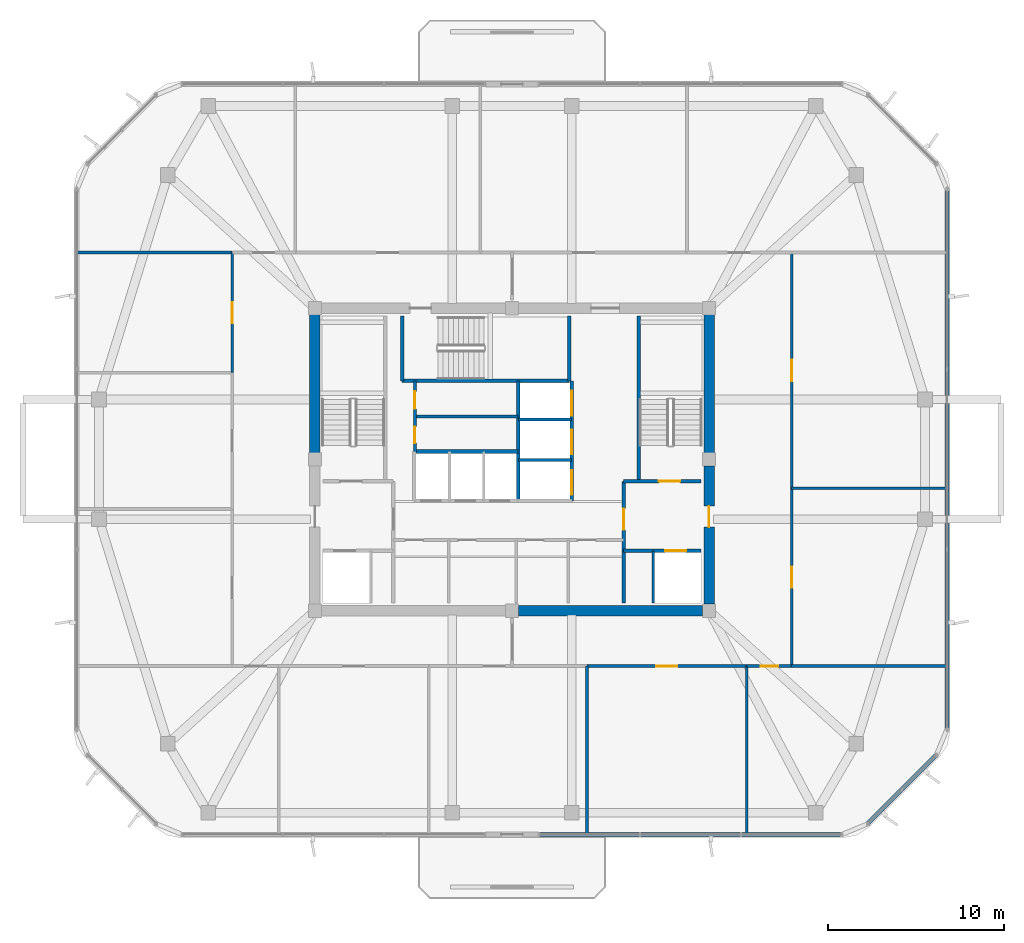
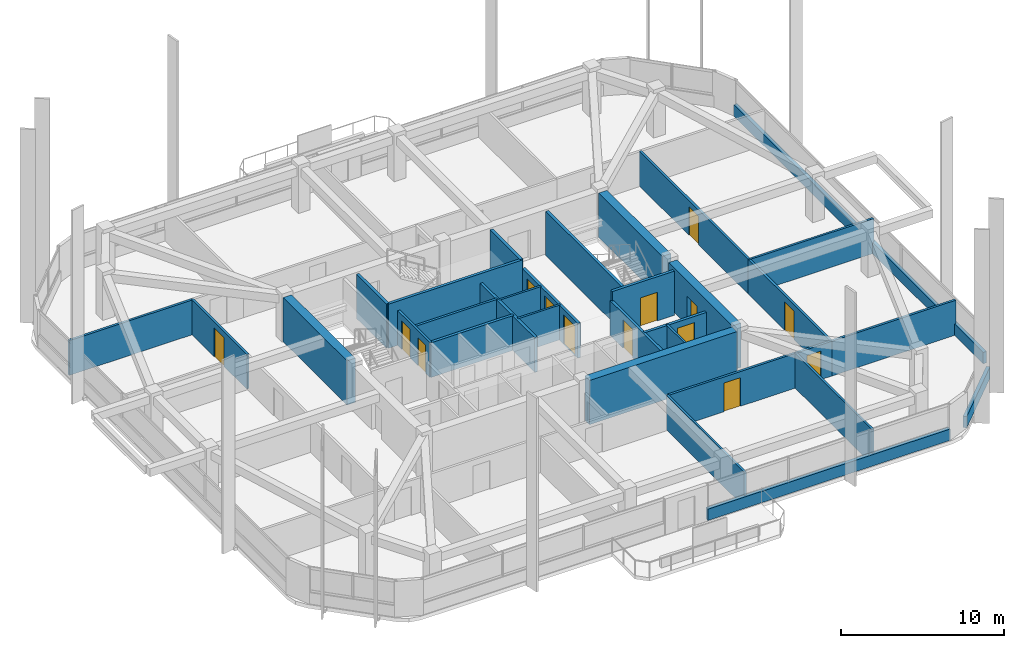
# One storey, part 8 of 12: 32 walls, 14 doors, 14 openings.
"""IFC4 building model written with IfcOpenShell, lengths in metres."""

from ifc_helpers import new_model, si_unit, derived_unit, direction, frame, frame_2d, origin, place, context, subcontext, project, spatial, rectangle, extrude, material, layer, layer_set, type_object, element, fill, save


model = new_model("IFC4")

# Units and contexts
model_context = context("Model", 3, precision=1e-05, world=origin(), true_north=direction((0.0, 1.0)))
body_context = subcontext(model_context, "Body", "Model", "MODEL_VIEW")
ifc_project = project(units=[si_unit("LENGTHUNIT", "METRE"), si_unit("AREAUNIT", "SQUARE_METRE"), si_unit("VOLUMEUNIT", "CUBIC_METRE"), si_unit("PLANEANGLEUNIT", "RADIAN"), si_unit("MASSUNIT", "GRAM", prefix="KILO"), derived_unit("THERMALTRANSMITTANCEUNIT", [(si_unit("POWERUNIT", "WATT"), 1), (si_unit("LENGTHUNIT", "METRE"), -2), (si_unit("THERMODYNAMICTEMPERATUREUNIT", "KELVIN"), -1)])], contexts=[model_context])

# Site, building, storey
site_placement = place(None, origin())
site = spatial("IfcSite", under=ifc_project, at=site_placement, CompositionType="ELEMENT")
building_placement = place(site_placement, origin())
building = spatial("IfcBuilding", under=site, at=building_placement, Name="Koralith Skygarden Medical Center", CompositionType="ELEMENT")
storey_placement = place(building_placement, frame((0.0, 0.0, 268.02001953125)))
storey = spatial("IfcBuildingStorey", under=building, at=storey_placement, Name="L69", CompositionType="ELEMENT", Elevation=268.02001953125)

# Walls
ifc_material_1 = material(Name="Gypsum Board Partition")
ifc_layer_1 = layer(ifc_material_1, 0.14990234375)
ifc_layer_set_1 = layer_set([ifc_layer_1], Name="Gypsum Board Partition")
wall_type_1 = type_object("IfcWallType", Name="Clinical Acoustic Partition 150", PredefinedType="PARTITIONING", material=ifc_layer_set_1)
for number, where, z_axis, x_axis, name in (
    (1, (41.261962890625, 14.14990234375, 0.0), (0.0, 0.0, 1.0), (0.0, -1.0, 0.0), "L69 Clinical Acoustic Partition 150 W-PART-L69-S-03"),
    (2, (50.35009765625, 14.14990234375, 0.0), (0.0, 0.0, 1.0), (0.0, -1.0, 0.0), "L69 Clinical Acoustic Partition 150 W-PART-L69-S-04"),
):
    element("IfcWall", number, at=place(storey_placement, frame(where, z_axis=z_axis, x_axis=x_axis)), inside=storey, type_object=wall_type_1, Name=name, PredefinedType="PARTITIONING", context=body_context, shape_type="SweptSolid", body=[
        extrude(rectangle(XDim=9.5498046875, YDim=0.14990234375, at=frame_2d((4.77490234375, 0.0))), origin(), (0.0, 0.0, 1.0), 2.60986328125),
    ])
wall_1_placement = place(storey_placement, frame((52.89990234375, 24.2548828125, 0.0), z_axis=(0.0, 0.0, 1.0), x_axis=(1.0, 0.0, 0.0)))
element("IfcWall", 3, at=wall_1_placement, inside=storey, type_object=wall_type_1, Name="L69 Clinical Acoustic Partition 150 W-PART-L69-E-01", PredefinedType="PARTITIONING", context=body_context, shape_type="SweptSolid", body=[
    extrude(rectangle(XDim=8.800048828125, YDim=0.14990234375, at=frame_2d((4.39990234375, 0.0))), origin(), (0.0, 0.0, 1.0), 2.60986328125),
])
ifc_layer_2 = layer(ifc_material_1, 0.1650390625)
ifc_layer_set_2 = layer_set([ifc_layer_2], Name="Gypsum Board Partition")
wall_type_2 = type_object("IfcWallType", Name="Clinical Corridor Partition 165", PredefinedType="PARTITIONING", material=ifc_layer_set_2)
for number, where, z_axis, x_axis, name in (
    (4, (12.300048828125, 37.64990234375, 0.0), (0.0, 0.0, 1.0), (1.0, 0.0, 0.0), "L69 Clinical Corridor Partition 165 W-WB-L69-NW"),
    (5, (52.89990234375, 14.14990234375, 0.0), (0.0, 0.0, 1.0), (1.0, 0.0, 0.0), "L69 Clinical Corridor Partition 165 W-WB-L69-SE"),
):
    element("IfcWall", number, at=place(storey_placement, frame(where, z_axis=z_axis, x_axis=x_axis)), inside=storey, type_object=wall_type_2, Name=name, PredefinedType="PARTITIONING", context=body_context, shape_type="SweptSolid", body=[
        extrude(rectangle(XDim=8.800048828125, YDim=0.1650390625, at=frame_2d((4.39990234375, 0.0))), origin(), (0.0, 0.0, 1.0), 2.60986328125),
    ])

# Wall, opening, door
wall_2_placement = place(storey_placement, frame((41.261962890625, 14.14990234375, 0.0), z_axis=(0.0, 0.0, 1.0), x_axis=(1.0, 0.0, 0.0)))
wall_2 = element("IfcWall", 6, at=wall_2_placement, inside=storey, type_object=wall_type_2, Name="L69 Clinical Corridor Partition 165 W-CORR-L69-S-04", PredefinedType="PARTITIONING", context=body_context, shape_type="SweptSolid", body=[
    extrude(rectangle(XDim=9.088134765625, YDim=0.1650390625, at=frame_2d((4.5439453125, 0.0))), origin(), (0.0, 0.0, 1.0), 2.60986328125),
])
opening_1_placement = place(wall_2_placement, frame((3.944091796875, 0.0, 0.0)))
opening_1 = element("IfcOpeningElement", 7, at=opening_1_placement, cuts=wall_2, Name="Opening D-CLN", PredefinedType="OPENING", context=body_context, shape_type="SweptSolid", body=[
    extrude(rectangle(XDim=1.199951171875, YDim=2.14990234375, at=frame_2d((0.60009765625, 1.074951171875))), frame((0.0, 0.092529296875, 0.0), z_axis=(0.0, -1.0, 0.0), x_axis=(1.0, 0.0, 0.0)), (0.0, 0.0, 1.0), 0.18505859375),
])
ifc_material_2 = material(Name="Aluminium 6063-T6", Category="aluminium")
door_type_1 = type_object("IfcDoorType", Name="Clinical Corridor Door D-CLN 1200", OperationType="NOTDEFINED", PredefinedType="DOOR", material=ifc_material_2)
door_1_placement = place(opening_1_placement, frame((1.199951171875, 0.0, 0.0), z_axis=(0.0, 0.0, 1.0), x_axis=(-1.0, 0.0, 0.0)))
door_1 = element("IfcDoor", 8, at=door_1_placement, inside=storey, type_object=door_type_1, Name="L69 Patient Smoothie Pantry 08 Door", OperationType="SINGLE_SWING_LEFT", OverallHeight=2.14990234375, OverallWidth=1.199951171875, PredefinedType="DOOR", context=body_context, shape_type="SweptSolid", body=[
    extrude(rectangle(XDim=1.199951171875, YDim=2.14990234375, at=frame_2d((0.60009765625, 1.074951171875))), frame((0.0, 0.02490234375, 0.0), z_axis=(0.0, -1.0, 0.0), x_axis=(1.0, 0.0, 0.0)), (0.0, 0.0, 1.0), 0.050048828125),
])
fill(opening_1, door_1)

wall_3_placement = place(storey_placement, frame((50.35009765625, 14.14990234375, 0.0), z_axis=(0.0, 0.0, 1.0), x_axis=(1.0, 0.0, 0.0)))
wall_3 = element("IfcWall", 9, at=wall_3_placement, inside=storey, type_object=wall_type_2, Name="L69 Clinical Corridor Partition 165 W-CORR-L69-S-05", PredefinedType="PARTITIONING", context=body_context, shape_type="SweptSolid", body=[
    extrude(rectangle(XDim=2.5498046875, YDim=0.1650390625, at=frame_2d((1.27490234375, 0.0))), origin(), (0.0, 0.0, 1.0), 2.60986328125),
])
opening_2_placement = place(wall_3_placement, frame((0.77490234375, 0.0, 0.0)))
opening_2 = element("IfcOpeningElement", 10, at=opening_2_placement, cuts=wall_3, Name="Opening D-SUP", PredefinedType="OPENING", context=body_context, shape_type="SweptSolid", body=[
    extrude(rectangle(XDim=1.0, YDim=2.14990234375, at=frame_2d((0.5, 1.074951171875))), frame((0.0, 0.092529296875, 0.0), z_axis=(0.0, -1.0, 0.0), x_axis=(1.0, 0.0, 0.0)), (0.0, 0.0, 1.0), 0.18505859375),
])
door_type_2 = type_object("IfcDoorType", Name="Clinical Support Door D-SUP 1000", OperationType="NOTDEFINED", PredefinedType="DOOR", material=ifc_material_2)
door_2_placement = place(opening_2_placement, frame((1.0, 0.0, 0.0), z_axis=(0.0, 0.0, 1.0), x_axis=(-1.0, 0.0, 0.0)))
door_2 = element("IfcDoor", 11, at=door_2_placement, inside=storey, type_object=door_type_2, Name="L69 Respiratory Family Lounge 09 Door", OperationType="SINGLE_SWING_RIGHT", OverallHeight=2.14990234375, OverallWidth=1.0, PredefinedType="DOOR", context=body_context, shape_type="SweptSolid", body=[
    extrude(rectangle(XDim=1.0, YDim=2.14990234375, at=frame_2d((0.5, 1.074951171875))), frame((0.0, 0.02490234375, 0.0), z_axis=(0.0, -1.0, 0.0), x_axis=(1.0, 0.0, 0.0)), (0.0, 0.0, 1.0), 0.050048828125),
])
fill(opening_2, door_2)

wall_4_placement = place(storey_placement, frame((21.10009765625, 30.8349609375, 0.0), z_axis=(0.0, 0.0, 1.0), x_axis=(0.0, 1.0, 0.0)))
wall_4 = element("IfcWall", 12, at=wall_4_placement, inside=storey, type_object=wall_type_2, Name="L69 Clinical Corridor Partition 165 W-CORR-L69-W-03", PredefinedType="PARTITIONING", context=body_context, shape_type="SweptSolid", body=[
    extrude(rectangle(XDim=6.81494140625, YDim=0.1650390625, at=frame_2d((3.407470703125, 0.0))), origin(), (0.0, 0.0, 1.0), 2.60986328125),
])
opening_3_placement = place(wall_4_placement, frame((2.806884765625, 0.0, 0.0)))
opening_3 = element("IfcOpeningElement", 13, at=opening_3_placement, cuts=wall_4, Name="Opening D-CLN", PredefinedType="OPENING", context=body_context, shape_type="SweptSolid", body=[
    extrude(rectangle(XDim=1.199951171875, YDim=2.14990234375, at=frame_2d((0.60009765625, 1.074951171875))), frame((0.0, 0.092529296875, 0.0), z_axis=(0.0, -1.0, 0.0), x_axis=(1.0, 0.0, 0.0)), (0.0, 0.0, 1.0), 0.18505859375),
])
door_3_placement = place(opening_3_placement, frame((1.199951171875, 0.0, 0.0), z_axis=(0.0, 0.0, 1.0), x_axis=(-1.0, 0.0, 0.0)))
door_3 = element("IfcDoor", 14, at=door_3_placement, inside=storey, type_object=door_type_1, Name="L69 Patient Smoothie Pantry 12 Door", OperationType="SINGLE_SWING_LEFT", OverallHeight=2.14990234375, OverallWidth=1.199951171875, PredefinedType="DOOR", context=body_context, shape_type="SweptSolid", body=[
    extrude(rectangle(XDim=1.199951171875, YDim=2.14990234375, at=frame_2d((0.60009765625, 1.074951171875))), frame((0.0, 0.02490234375, 0.0), z_axis=(0.0, -1.0, 0.0), x_axis=(1.0, 0.0, 0.0)), (0.0, 0.0, 1.0), 0.050048828125),
])
fill(opening_3, door_3)

wall_5_placement = place(storey_placement, frame((52.89990234375, 14.14990234375, 0.0), z_axis=(0.0, 0.0, 1.0), x_axis=(0.0, 1.0, 0.0)))
wall_5 = element("IfcWall", 15, at=wall_5_placement, inside=storey, type_object=wall_type_2, Name="L69 Clinical Corridor Partition 165 W-CORR-L69-E-01", PredefinedType="PARTITIONING", context=body_context, shape_type="SweptSolid", body=[
    extrude(rectangle(XDim=10.10498046875, YDim=0.1650390625, at=frame_2d((5.052490234375, 0.0))), origin(), (0.0, 0.0, 1.0), 2.60986328125),
])
opening_4_placement = place(wall_5_placement, frame((4.451904296875, 0.0, 0.0)))
opening_4 = element("IfcOpeningElement", 16, at=opening_4_placement, cuts=wall_5, Name="Opening D-CLN", PredefinedType="OPENING", context=body_context, shape_type="SweptSolid", body=[
    extrude(rectangle(XDim=1.199951171875, YDim=2.14990234375, at=frame_2d((0.60009765625, 1.074951171875))), frame((0.0, 0.092529296875, 0.0), z_axis=(0.0, -1.0, 0.0), x_axis=(1.0, 0.0, 0.0)), (0.0, 0.0, 1.0), 0.18505859375),
])
door_4_placement = place(opening_4_placement, origin())
door_4 = element("IfcDoor", 17, at=door_4_placement, inside=storey, type_object=door_type_1, Name="L69 Respiratory Family Lounge 13 Door", OperationType="SINGLE_SWING_RIGHT", OverallHeight=2.14990234375, OverallWidth=1.199951171875, PredefinedType="DOOR", context=body_context, shape_type="SweptSolid", body=[
    extrude(rectangle(XDim=1.199951171875, YDim=2.14990234375, at=frame_2d((0.60009765625, 1.074951171875))), frame((0.0, 0.02490234375, 0.0), z_axis=(0.0, -1.0, 0.0), x_axis=(1.0, 0.0, 0.0)), (0.0, 0.0, 1.0), 0.050048828125),
])
fill(opening_4, door_4)

wall_6_placement = place(storey_placement, frame((52.89990234375, 24.2548828125, 0.0), z_axis=(0.0, 0.0, 1.0), x_axis=(0.0, 1.0, 0.0)))
wall_6 = element("IfcWall", 18, at=wall_6_placement, inside=storey, type_object=wall_type_2, Name="L69 Clinical Corridor Partition 165 W-CORR-L69-E-02", PredefinedType="PARTITIONING", context=body_context, shape_type="SweptSolid", body=[
    extrude(rectangle(XDim=13.39501953125, YDim=0.1650390625, at=frame_2d((6.697509765625, 0.0))), origin(), (0.0, 0.0, 1.0), 2.60986328125),
])
opening_5_placement = place(wall_6_placement, frame((6.097900390625, 0.0, 0.0)))
opening_5 = element("IfcOpeningElement", 19, at=opening_5_placement, cuts=wall_6, Name="Opening D-CLN", PredefinedType="OPENING", context=body_context, shape_type="SweptSolid", body=[
    extrude(rectangle(XDim=1.199951171875, YDim=2.14990234375, at=frame_2d((0.60009765625, 1.074951171875))), frame((0.0, 0.092529296875, 0.0), z_axis=(0.0, -1.0, 0.0), x_axis=(1.0, 0.0, 0.0)), (0.0, 0.0, 1.0), 0.18505859375),
])
door_5_placement = place(opening_5_placement, origin())
door_5 = element("IfcDoor", 20, at=door_5_placement, inside=storey, type_object=door_type_1, Name="L69 Oxygen Cylinder Alcove Store 14 Door", OperationType="SINGLE_SWING_LEFT", OverallHeight=2.14990234375, OverallWidth=1.199951171875, PredefinedType="DOOR", context=body_context, shape_type="SweptSolid", body=[
    extrude(rectangle(XDim=1.199951171875, YDim=2.14990234375, at=frame_2d((0.60009765625, 1.074951171875))), frame((0.0, 0.02490234375, 0.0), z_axis=(0.0, -1.0, 0.0), x_axis=(1.0, 0.0, 0.0)), (0.0, 0.0, 1.0), 0.050048828125),
])
fill(opening_5, door_5)

ifc_layer_3 = layer(ifc_material_1, 0.199951171875)
ifc_layer_set_3 = layer_set([ifc_layer_3], Name="Gypsum Board Partition")
wall_type_3 = type_object("IfcWallType", Name="Fire Shaft Wall 200", PredefinedType="SOLIDWALL", material=ifc_layer_set_3)
wall_7_placement = place(storey_placement, frame((43.35009765625, 20.699951171875, 0.0), z_axis=(0.0, 0.0, 1.0), x_axis=(1.0, 0.0, 0.0)))
wall_7 = element("IfcWall", 21, at=wall_7_placement, inside=storey, type_object=wall_type_3, Name="L69 Fire Shaft Wall 200 W-CORE-L69-FF2-N", PredefinedType="SOLIDWALL", context=body_context, shape_type="SweptSolid", body=[
    extrude(rectangle(XDim=4.39990234375, YDim=0.199951171875, at=frame_2d((2.199951171875, 0.0))), origin(), (0.0, 0.0, 1.0), 2.60986328125),
])
opening_6_placement = place(wall_7_placement, frame((2.35009765625, 0.0, 0.0)))
opening_6 = element("IfcOpeningElement", 22, at=opening_6_placement, cuts=wall_7, Name="Opening LD-FF", PredefinedType="OPENING", context=body_context, shape_type="SweptSolid", body=[
    extrude(rectangle(XDim=1.199951171875, YDim=2.14990234375, at=frame_2d((0.60009765625, 1.074951171875))), frame((0.0, 0.10986328125, 0.0), z_axis=(0.0, -1.0, 0.0), x_axis=(1.0, 0.0, 0.0)), (0.0, 0.0, 1.0), 0.219970703125),
])
ifc_material_3 = material(Name="Steel ASTM A500 Grade C", Category="steel")
door_type_3 = type_object("IfcDoorType", Name="Fire Lift Sliding Landing Door LD-FF 1200", OperationType="NOTDEFINED", PredefinedType="DOOR", material=ifc_material_3)
door_6_placement = place(opening_6_placement, origin())
door_6 = element("IfcDoor", 23, at=door_6_placement, inside=storey, type_object=door_type_3, Name="L69 Fire Service Elevator FF2 Landing Door", OperationType="SLIDING_TO_RIGHT", OverallHeight=2.14990234375, OverallWidth=1.199951171875, PredefinedType="DOOR", context=body_context, shape_type="SweptSolid", body=[
    extrude(rectangle(XDim=1.199951171875, YDim=2.14990234375, at=frame_2d((0.60009765625, 1.074951171875))), frame((0.0, 0.02490234375, 0.0), z_axis=(0.0, -1.0, 0.0), x_axis=(1.0, 0.0, 0.0)), (0.0, 0.0, 1.0), 0.050048828125),
])
fill(opening_6, door_6)

wall_8_placement = place(storey_placement, frame((43.35009765625, 17.75, 0.0), z_axis=(0.0, 0.0, 1.0), x_axis=(0.0, 1.0, 0.0)))
wall_8 = element("IfcWall", 24, at=wall_8_placement, inside=storey, type_object=wall_type_3, Name="L69 Fire Shaft Wall 200 W-CORE-L69-FSAEE-W", PredefinedType="SOLIDWALL", context=body_context, shape_type="SweptSolid", body=[
    extrude(rectangle(XDim=6.89990234375, YDim=0.199951171875, at=frame_2d((3.449951171875, 0.0))), origin(), (0.0, 0.0, 1.0), 2.60986328125),
])
opening_7_placement = place(wall_8_placement, frame((4.14990234375, 0.0, 0.0)))
opening_7 = element("IfcOpeningElement", 25, at=opening_7_placement, cuts=wall_8, Name="Opening D-ST60", PredefinedType="OPENING", context=body_context, shape_type="SweptSolid", body=[
    extrude(rectangle(XDim=1.199951171875, YDim=2.14990234375, at=frame_2d((0.60009765625, 1.074951171875))), frame((0.0, 0.10986328125, 0.0), z_axis=(0.0, -1.0, 0.0), x_axis=(1.0, 0.0, 0.0)), (0.0, 0.0, 1.0), 0.219970703125),
])
door_type_4 = type_object("IfcDoorType", Name="Smokeproof Stair Fire Door FD60S 1200", OperationType="NOTDEFINED", PredefinedType="DOOR", material=ifc_material_3)
door_7_placement = place(opening_7_placement, frame((1.199951171875, 0.0, 0.0), z_axis=(0.0, 0.0, 1.0), x_axis=(-1.0, 0.0, 0.0)))
door_7 = element("IfcDoor", 26, at=door_7_placement, inside=storey, type_object=door_type_4, Name="L69 East Firefighting Lobby Inner Fire Door", OperationType="SINGLE_SWING_RIGHT", OverallHeight=2.14990234375, OverallWidth=1.199951171875, PredefinedType="DOOR", context=body_context, shape_type="SweptSolid", body=[
    extrude(rectangle(XDim=1.199951171875, YDim=2.14990234375, at=frame_2d((0.60009765625, 1.074951171875))), frame((0.0, 0.02490234375, 0.0), z_axis=(0.0, -1.0, 0.0), x_axis=(1.0, 0.0, 0.0)), (0.0, 0.0, 1.0), 0.050048828125),
])
fill(opening_7, door_7)

# Walls
wall_9_placement = place(storey_placement, frame((31.449951171875, 26.35009765625, 0.0), z_axis=(0.0, 0.0, 1.0), x_axis=(1.0, 0.0, 0.0)))
element("IfcWall", 27, at=wall_9_placement, inside=storey, type_object=wall_type_3, Name="L69 Fire Shaft Wall 200 W-CORE-L69-PH-N", PredefinedType="SOLIDWALL", context=body_context, shape_type="SweptSolid", body=[
    extrude(rectangle(XDim=5.900146484375, YDim=0.199951171875, at=frame_2d((2.9501953125, 0.0))), origin(), (0.0, 0.0, 1.0), 2.60986328125),
])
wall_10_placement = place(storey_placement, frame((37.35009765625, 23.5400390625, 0.0), z_axis=(0.0, 0.0, 1.0), x_axis=(0.0, 1.0, 0.0)))
element("IfcWall", 28, at=wall_10_placement, inside=storey, type_object=wall_type_3, Name="L69 Fire Shaft Wall 200 W-CORE-L69-SV-W", PredefinedType="SOLIDWALL", context=body_context, shape_type="SweptSolid", body=[
    extrude(rectangle(XDim=6.820068359375, YDim=0.199951171875, at=frame_2d((3.41015625, 0.0))), origin(), (0.0, 0.0, 1.0), 2.60986328125),
])

# Wall, openings, doors
wall_11_placement = place(storey_placement, frame((40.39990234375, 23.5400390625, 0.0), z_axis=(0.0, 0.0, 1.0), x_axis=(0.0, 1.0, 0.0)))
wall_11 = element("IfcWall", 29, at=wall_11_placement, inside=storey, type_object=wall_type_3, Name="L69 Fire Shaft Wall 200 W-CORE-L69-SV-E", PredefinedType="SOLIDWALL", context=body_context, shape_type="SweptSolid", body=[
    extrude(rectangle(XDim=6.820068359375, YDim=0.199951171875, at=frame_2d((3.41015625, 0.0))), origin(), (0.0, 0.0, 1.0), 2.60986328125),
])
opening_8_placement = place(wall_11_placement, frame((0.35009765625, 0.0, 0.0)))
opening_8 = element("IfcOpeningElement", 30, at=opening_8_placement, cuts=wall_11, Name="Opening LD-SV", PredefinedType="OPENING", context=body_context, shape_type="SweptSolid", body=[
    extrude(rectangle(XDim=1.39990234375, YDim=2.199951171875, at=frame_2d((0.699951171875, 1.10009765625))), frame((0.0, 0.10986328125, 0.0), z_axis=(0.0, -1.0, 0.0), x_axis=(1.0, 0.0, 0.0)), (0.0, 0.0, 1.0), 0.219970703125),
])
opening_9_placement = place(wall_11_placement, frame((2.64990234375, 0.0, 0.0)))
opening_9 = element("IfcOpeningElement", 31, at=opening_9_placement, cuts=wall_11, Name="Opening LD-SV", PredefinedType="OPENING", context=body_context, shape_type="SweptSolid", body=[
    extrude(rectangle(XDim=1.39990234375, YDim=2.199951171875, at=frame_2d((0.699951171875, 1.10009765625))), frame((0.0, 0.10986328125, 0.0), z_axis=(0.0, -1.0, 0.0), x_axis=(1.0, 0.0, 0.0)), (0.0, 0.0, 1.0), 0.219970703125),
])
opening_10_placement = place(wall_11_placement, frame((4.85009765625, 0.0, 0.0)))
opening_10 = element("IfcOpeningElement", 32, at=opening_10_placement, cuts=wall_11, Name="Opening LD-SV", PredefinedType="OPENING", context=body_context, shape_type="SweptSolid", body=[
    extrude(rectangle(XDim=1.39990234375, YDim=2.199951171875, at=frame_2d((0.699951171875, 1.10009765625))), frame((0.0, 0.10986328125, 0.0), z_axis=(0.0, -1.0, 0.0), x_axis=(1.0, 0.0, 0.0)), (0.0, 0.0, 1.0), 0.219970703125),
])
door_type_5 = type_object("IfcDoorType", Name="Bed Lift Sliding Landing Door LD-SV 1400", OperationType="NOTDEFINED", PredefinedType="DOOR", material=ifc_material_3)
door_8_placement = place(opening_8_placement, origin())
door_8 = element("IfcDoor", 33, at=door_8_placement, inside=storey, type_object=door_type_5, Name="L69 Bed Elevator BD1 Landing Door", OperationType="SLIDING_TO_LEFT", OverallHeight=2.199951171875, OverallWidth=1.39990234375, PredefinedType="DOOR", context=body_context, shape_type="SweptSolid", body=[
    extrude(rectangle(XDim=1.39990234375, YDim=2.199951171875, at=frame_2d((0.699951171875, 1.10009765625))), frame((0.0, 0.02490234375, 0.0), z_axis=(0.0, -1.0, 0.0), x_axis=(1.0, 0.0, 0.0)), (0.0, 0.0, 1.0), 0.050048828125),
])
fill(opening_8, door_8)
door_9_placement = place(opening_9_placement, origin())
door_9 = element("IfcDoor", 34, at=door_9_placement, inside=storey, type_object=door_type_5, Name="L69 Service Elevator BD2 Landing Door", OperationType="SLIDING_TO_LEFT", OverallHeight=2.199951171875, OverallWidth=1.39990234375, PredefinedType="DOOR", context=body_context, shape_type="SweptSolid", body=[
    extrude(rectangle(XDim=1.39990234375, YDim=2.199951171875, at=frame_2d((0.699951171875, 1.10009765625))), frame((0.0, 0.02490234375, 0.0), z_axis=(0.0, -1.0, 0.0), x_axis=(1.0, 0.0, 0.0)), (0.0, 0.0, 1.0), 0.050048828125),
])
fill(opening_9, door_9)
door_10_placement = place(opening_10_placement, origin())
door_10 = element("IfcDoor", 35, at=door_10_placement, inside=storey, type_object=door_type_5, Name="L69 Trauma Elevator TR1 Landing Door", OperationType="SLIDING_TO_RIGHT", OverallHeight=2.199951171875, OverallWidth=1.39990234375, PredefinedType="DOOR", context=body_context, shape_type="SweptSolid", body=[
    extrude(rectangle(XDim=1.39990234375, YDim=2.199951171875, at=frame_2d((0.699951171875, 1.10009765625))), frame((0.0, 0.02490234375, 0.0), z_axis=(0.0, -1.0, 0.0), x_axis=(1.0, 0.0, 0.0)), (0.0, 0.0, 1.0), 0.050048828125),
])
fill(opening_10, door_10)

# Walls
ifc_material_4 = material(Name="Warm Oolitic Limestone Cladding", Category="masonry")
ifc_layer_4 = layer(ifc_material_4, 0.239990234375)
ifc_layer_set_4 = layer_set([ifc_layer_4], Name="Warm Oolitic Limestone Cladding")
wall_type_4 = type_object("IfcWallType", Name="Limestone Spandrel Sill Backup Wall 240", PredefinedType="SOLIDWALL", material=ifc_layer_set_4)
wall_12_placement = place(storey_placement, frame((38.5390625, 4.580078125, 0.0), z_axis=(0.0, 0.0, 1.0), x_axis=(1.0, 0.0, 0.0)))
element("IfcWall", 36, at=wall_12_placement, inside=storey, type_object=wall_type_4, Name="L69 Sill Spandrel S-R", PredefinedType="SOLIDWALL", context=body_context, shape_type="SweptSolid", body=[
    extrude(rectangle(XDim=17.2060546875, YDim=0.239990234375, at=frame_2d((8.60302734375, 0.0))), origin(), (0.0, 0.0, 1.0), 0.85009765625),
])
wall_13_placement = place(storey_placement, frame((57.196044921875, 5.180908203125, 0.0), z_axis=(0.0, 0.0, 1.0), x_axis=(0.707084777957, 0.707128783731, 0.0)))
element("IfcWall", 37, at=wall_13_placement, inside=storey, type_object=wall_type_4, Name="L69 Sill Spandrel SE", PredefinedType="SOLIDWALL", context=body_context, shape_type="SweptSolid", body=[
    extrude(rectangle(XDim=5.5478515625, YDim=0.239990234375, at=frame_2d((2.77392578125, 0.0))), origin(), (0.0, 0.0, 1.0), 0.85009765625),
])
wall_14_placement = place(storey_placement, frame((61.719970703125, 10.554931640625, 0.0), z_axis=(0.0, 0.0, 1.0), x_axis=(0.0, 1.0, 0.0)))
element("IfcWall", 38, at=wall_14_placement, inside=storey, type_object=wall_type_4, Name="L69 Sill Spandrel E", PredefinedType="SOLIDWALL", context=body_context, shape_type="SweptSolid", body=[
    extrude(rectangle(XDim=30.690185546875, YDim=0.239990234375, at=frame_2d((15.34521484375, 0.0))), origin(), (0.0, 0.0, 1.0), 0.85009765625),
])

# Wall, openings, doors
ifc_layer_5 = layer(ifc_material_1, 0.1650390625)
ifc_layer_set_5 = layer_set([ifc_layer_5], Name="Gypsum Board Partition")
wall_type_5 = type_object("IfcWallType", Name="Plumbing Wet Wall 165", PredefinedType="PLUMBINGWALL", material=ifc_layer_set_5)
wall_15_placement = place(storey_placement, frame((31.47998046875, 26.320068359375, 0.0), z_axis=(0.0, 0.0, 1.0), x_axis=(0.0, 1.0, 0.0)))
wall_15 = element("IfcWall", 39, at=wall_15_placement, inside=storey, type_object=wall_type_5, Name="L69 Plumbing Wet Wall 165 W-CORE-L69-FLEX-W", PredefinedType="PLUMBINGWALL", context=body_context, shape_type="SweptSolid", body=[
    extrude(rectangle(XDim=4.0400390625, YDim=0.1650390625, at=frame_2d((2.02001953125, 0.0))), origin(), (0.0, 0.0, 1.0), 2.60986328125),
])
opening_11_placement = place(wall_15_placement, frame((0.5, 0.0, 0.0)))
opening_11 = element("IfcOpeningElement", 40, at=opening_11_placement, cuts=wall_15, Name="Opening D-WC", PredefinedType="OPENING", context=body_context, shape_type="SweptSolid", body=[
    extrude(rectangle(XDim=0.949951171875, YDim=2.10009765625, at=frame_2d((0.47509765625, 1.050048828125))), frame((0.0, 0.092529296875, 0.0), z_axis=(0.0, -1.0, 0.0), x_axis=(1.0, 0.0, 0.0)), (0.0, 0.0, 1.0), 0.18505859375),
])
opening_12_placement = place(wall_15_placement, frame((2.449951171875, 0.0, 0.0)))
opening_12 = element("IfcOpeningElement", 41, at=opening_12_placement, cuts=wall_15, Name="Opening D-SUP", PredefinedType="OPENING", context=body_context, shape_type="SweptSolid", body=[
    extrude(rectangle(XDim=1.0, YDim=2.14990234375, at=frame_2d((0.5, 1.074951171875))), frame((0.0, 0.092529296875, 0.0), z_axis=(0.0, -1.0, 0.0), x_axis=(1.0, 0.0, 0.0)), (0.0, 0.0, 1.0), 0.18505859375),
])
door_type_6 = type_object("IfcDoorType", Name="Accessible Toilet Door D-WC 950", OperationType="NOTDEFINED", PredefinedType="DOOR", material=ifc_material_2)
door_11_placement = place(opening_11_placement, frame((0.949951171875, 0.0, 0.0), z_axis=(0.0, 0.0, 1.0), x_axis=(-1.0, 0.0, 0.0)))
door_11 = element("IfcDoor", 42, at=door_11_placement, inside=storey, type_object=door_type_6, Name="L69 Core Accessible WC Door", OperationType="SINGLE_SWING_LEFT", OverallHeight=2.10009765625, OverallWidth=0.949951171875, PredefinedType="DOOR", context=body_context, shape_type="SweptSolid", body=[
    extrude(rectangle(XDim=0.949951171875, YDim=2.10009765625, at=frame_2d((0.47509765625, 1.050048828125))), frame((0.0, 0.02490234375, 0.0), z_axis=(0.0, -1.0, 0.0), x_axis=(1.0, 0.0, 0.0)), (0.0, 0.0, 1.0), 0.050048828125),
])
fill(opening_11, door_11)
door_12_placement = place(opening_12_placement, frame((1.0, 0.0, 0.0), z_axis=(0.0, 0.0, 1.0), x_axis=(-1.0, 0.0, 0.0)))
door_12 = element("IfcDoor", 43, at=door_12_placement, inside=storey, type_object=door_type_2, Name="L69 Core Clean Utility Door", OperationType="SINGLE_SWING_RIGHT", OverallHeight=2.14990234375, OverallWidth=1.0, PredefinedType="DOOR", context=body_context, shape_type="SweptSolid", body=[
    extrude(rectangle(XDim=1.0, YDim=2.14990234375, at=frame_2d((0.5, 1.074951171875))), frame((0.0, 0.02490234375, 0.0), z_axis=(0.0, -1.0, 0.0), x_axis=(1.0, 0.0, 0.0)), (0.0, 0.0, 1.0), 0.050048828125),
])
fill(opening_12, door_12)

# Walls
wall_16_placement = place(storey_placement, frame((31.47998046875, 28.340087890625, 0.0), z_axis=(0.0, 0.0, 1.0), x_axis=(1.0, 0.0, 0.0)))
element("IfcWall", 44, at=wall_16_placement, inside=storey, type_object=wall_type_5, Name="L69 Plumbing Wet Wall 165 W-CORE-L69-FLEX-H0", PredefinedType="PLUMBINGWALL", context=body_context, shape_type="SweptSolid", body=[
    extrude(rectangle(XDim=5.8701171875, YDim=0.1650390625, at=frame_2d((2.93505859375, 0.0))), origin(), (0.0, 0.0, 1.0), 2.60986328125),
])
ifc_layer_6 = layer(ifc_material_1, 0.14990234375)
ifc_layer_set_6 = layer_set([ifc_layer_6], Name="Gypsum Board Partition")
wall_type_6 = type_object("IfcWallType", Name="Shaft Partition Wall 150", PredefinedType="PARTITIONING", material=ifc_layer_set_6)
wall_17_placement = place(storey_placement, frame((45.02001953125, 17.75, 0.0), z_axis=(0.0, 0.0, 1.0), x_axis=(0.0, 1.0, 0.0)))
element("IfcWall", 45, at=wall_17_placement, inside=storey, type_object=wall_type_6, Name="L69 Shaft Partition Wall 150 W-CORE-L69-RSRE-DIV", PredefinedType="PARTITIONING", context=body_context, shape_type="SweptSolid", body=[
    extrude(rectangle(XDim=2.949951171875, YDim=0.14990234375, at=frame_2d((1.47509765625, 0.0))), origin(), (0.0, 0.0, 1.0), 2.60986328125),
])
for number, where, z_axis, x_axis, name in (
    (46, (37.3701171875, 25.8701171875, 0.0), (0.0, 0.0, 1.0), (1.0, 0.0, 0.0), "L69 Shaft Partition Wall 150 W-CORE-L69-SV-D1"),
    (47, (37.3701171875, 28.169921875, 0.0), (0.0, 0.0, 1.0), (1.0, 0.0, 0.0), "L69 Shaft Partition Wall 150 W-CORE-L69-SV-D2"),
):
    element("IfcWall", number, at=place(storey_placement, frame(where, z_axis=z_axis, x_axis=x_axis)), inside=storey, type_object=wall_type_6, Name=name, PredefinedType="PARTITIONING", context=body_context, shape_type="SweptSolid", body=[
        extrude(rectangle(XDim=3.009765625, YDim=0.14990234375, at=frame_2d((1.5048828125, 0.0))), origin(), (0.0, 0.0, 1.0), 2.60986328125),
    ])
ifc_material_5 = material(Name="Concrete C45/55", Category="concrete")
ifc_layer_7 = layer(ifc_material_5, 0.199951171875)
ifc_layer_set_7 = layer_set([ifc_layer_7], Name="Concrete C45/55")
wall_type_7 = type_object("IfcWallType", Name="Structural Stair Shaft Wall 200", PredefinedType="SHEAR", material=ifc_layer_set_7)
wall_18_placement = place(storey_placement, frame((44.199951171875, 24.64990234375, 0.0), z_axis=(0.0, 0.0, 1.0), x_axis=(0.0, 1.0, 0.0)))
element("IfcWall", 48, at=wall_18_placement, inside=storey, type_object=wall_type_7, Name="L69 Structural Stair Shaft Wall 200 W-CORE-L69-ST2-W", PredefinedType="SHEAR", context=body_context, shape_type="SweptSolid", body=[
    extrude(rectangle(XDim=9.400146484375, YDim=0.199951171875, at=frame_2d((4.7001953125, 0.0))), origin(), (0.0, 0.0, 1.0), 3.320068359375),
])

# Wall, opening, door
wall_19_placement = place(storey_placement, frame((43.35009765625, 24.64990234375, 0.0), z_axis=(0.0, 0.0, 1.0), x_axis=(1.0, 0.0, 0.0)))
wall_19 = element("IfcWall", 49, at=wall_19_placement, inside=storey, type_object=wall_type_7, Name="L69 Structural Stair Shaft Wall 200 W-CORE-L69-ST2-S", PredefinedType="SHEAR", context=body_context, shape_type="SweptSolid", body=[
    extrude(rectangle(XDim=4.39990234375, YDim=0.199951171875, at=frame_2d((2.199951171875, 0.0))), origin(), (0.0, 0.0, 1.0), 3.320068359375),
])
opening_13_placement = place(wall_19_placement, frame((2.0, 0.0, 0.0)))
opening_13 = element("IfcOpeningElement", 50, at=opening_13_placement, cuts=wall_19, Name="Opening D-ST60", PredefinedType="OPENING", context=body_context, shape_type="SweptSolid", body=[
    extrude(rectangle(XDim=1.199951171875, YDim=2.14990234375, at=frame_2d((0.60009765625, 1.074951171875))), frame((0.0, 0.10986328125, 0.0), z_axis=(0.0, -1.0, 0.0), x_axis=(1.0, 0.0, 0.0)), (0.0, 0.0, 1.0), 0.219970703125),
])
door_13_placement = place(opening_13_placement, origin())
door_13 = element("IfcDoor", 51, at=door_13_placement, inside=storey, type_object=door_type_4, Name="L69 Exit Stair ST2 Fire Door", OperationType="SINGLE_SWING_RIGHT", OverallHeight=2.14990234375, OverallWidth=1.199951171875, PredefinedType="DOOR", context=body_context, shape_type="SweptSolid", body=[
    extrude(rectangle(XDim=1.199951171875, YDim=2.14990234375, at=frame_2d((0.60009765625, 1.074951171875))), frame((0.0, 0.02490234375, 0.0), z_axis=(0.0, -1.0, 0.0), x_axis=(1.0, 0.0, 0.0)), (0.0, 0.0, 1.0), 0.050048828125),
])
fill(opening_13, door_13)

# Walls
wall_20_placement = place(storey_placement, frame((30.75, 30.360107421875, 0.0), z_axis=(0.0, 0.0, 1.0), x_axis=(1.0, 0.0, 0.0)))
element("IfcWall", 52, at=wall_20_placement, inside=storey, type_object=wall_type_7, Name="L69 Structural Stair Shaft Wall 200 W-CORE-L69-ST3-S", PredefinedType="SHEAR", context=body_context, shape_type="SweptSolid", body=[
    extrude(rectangle(XDim=9.5, YDim=0.199951171875, at=frame_2d((4.75, 0.0))), origin(), (0.0, 0.0, 1.0), 3.320068359375),
])
for number, where, z_axis, x_axis, name in (
    (53, (30.75, 30.360107421875, 0.0), (0.0, 0.0, 1.0), (0.0, 1.0, 0.0), "L69 Structural Stair Shaft Wall 200 W-CORE-L69-ST3-W"),
    (54, (40.25, 30.360107421875, 0.0), (0.0, 0.0, 1.0), (0.0, 1.0, 0.0), "L69 Structural Stair Shaft Wall 200 W-CORE-L69-ST3-E"),
):
    element("IfcWall", number, at=place(storey_placement, frame(where, z_axis=z_axis, x_axis=x_axis)), inside=storey, type_object=wall_type_7, Name=name, PredefinedType="SHEAR", context=body_context, shape_type="SweptSolid", body=[
        extrude(rectangle(XDim=3.68994140625, YDim=0.199951171875, at=frame_2d((1.844970703125, 0.0))), origin(), (0.0, 0.0, 1.0), 3.320068359375),
    ])
ifc_material_6 = material(Name="Concrete C55/67", Category="concrete")
ifc_layer_8 = layer(ifc_material_6, 0.60009765625)
ifc_layer_set_8 = layer_set([ifc_layer_8], Name="Concrete C55/67")
wall_type_8 = type_object("IfcWallType", Name="Upper Core Shear Wall 600", PredefinedType="SHEAR", material=ifc_layer_set_8)
wall_21_placement = place(storey_placement, frame((37.375, 17.300048828125, 0.0), z_axis=(0.0, 0.0, 1.0), x_axis=(1.0, 0.0, 0.0)))
element("IfcWall", 55, at=wall_21_placement, inside=storey, type_object=wall_type_8, Name="L69 Core Shear Wall Segment 2", PredefinedType="SHEAR", context=body_context, shape_type="SweptSolid", body=[
    extrude(rectangle(XDim=10.449951171875, YDim=0.60009765625, at=frame_2d((5.22509765625, 0.0))), origin(), (0.0, 0.0, 1.0), 3.320068359375),
])

# Wall, opening, door
wall_22_placement = place(storey_placement, frame((48.199951171875, 17.675048828125, 0.0), z_axis=(0.0, 0.0, 1.0), x_axis=(0.0, 1.0, 0.0)))
wall_22 = element("IfcWall", 56, at=wall_22_placement, inside=storey, type_object=wall_type_8, Name="L69 Core Shear Wall Segment 3", PredefinedType="SHEAR", context=body_context, shape_type="SweptSolid", body=[
    extrude(rectangle(XDim=7.849853515625, YDim=0.60009765625, at=frame_2d((3.9248046875, 0.0))), origin(), (0.0, 0.0, 1.0), 3.320068359375),
])
opening_14_placement = place(wall_22_placement, frame((4.375, 0.0, 0.0)))
opening_14 = element("IfcOpeningElement", 57, at=opening_14_placement, cuts=wall_22, Name="Opening D-ST60", PredefinedType="OPENING", context=body_context, shape_type="SweptSolid", body=[
    extrude(rectangle(XDim=1.199951171875, YDim=2.14990234375, at=frame_2d((0.60009765625, 1.074951171875))), frame((0.0, 0.31005859375, 0.0), z_axis=(0.0, -1.0, 0.0), x_axis=(1.0, 0.0, 0.0)), (0.0, 0.0, 1.0), 0.6201171875),
])
door_14_placement = place(opening_14_placement, frame((1.199951171875, 0.0, 0.0), z_axis=(0.0, 0.0, 1.0), x_axis=(-1.0, 0.0, 0.0)))
door_14 = element("IfcDoor", 58, at=door_14_placement, inside=storey, type_object=door_type_4, Name="L69 East Corridor to Firefighting Lobby Door", OperationType="SINGLE_SWING_RIGHT", OverallHeight=2.14990234375, OverallWidth=1.199951171875, PredefinedType="DOOR", context=body_context, shape_type="SweptSolid", body=[
    extrude(rectangle(XDim=1.199951171875, YDim=2.14990234375, at=frame_2d((0.60009765625, 1.074951171875))), frame((0.0, 0.02490234375, 0.0), z_axis=(0.0, -1.0, 0.0), x_axis=(1.0, 0.0, 0.0)), (0.0, 0.0, 1.0), 0.050048828125),
])
fill(opening_14, door_14)

# Walls
for number, where, z_axis, x_axis, name in (
    (59, (48.199951171875, 26.27490234375, 0.0), (0.0, 0.0, 1.0), (0.0, 1.0, 0.0), "L69 Core Shear Wall Segment 4"),
    (60, (25.800048828125, 34.125, 0.0), (0.0, 0.0, 1.0), (0.0, -1.0, 0.0), "L69 Core Shear Wall Segment 7"),
):
    element("IfcWall", number, at=place(storey_placement, frame(where, z_axis=z_axis, x_axis=x_axis)), inside=storey, type_object=wall_type_8, Name=name, PredefinedType="SHEAR", context=body_context, shape_type="SweptSolid", body=[
        extrude(rectangle(XDim=7.85009765625, YDim=0.60009765625, at=frame_2d((3.925048828125, 0.0))), origin(), (0.0, 0.0, 1.0), 3.320068359375),
    ])

save(model, "model.ifc")
